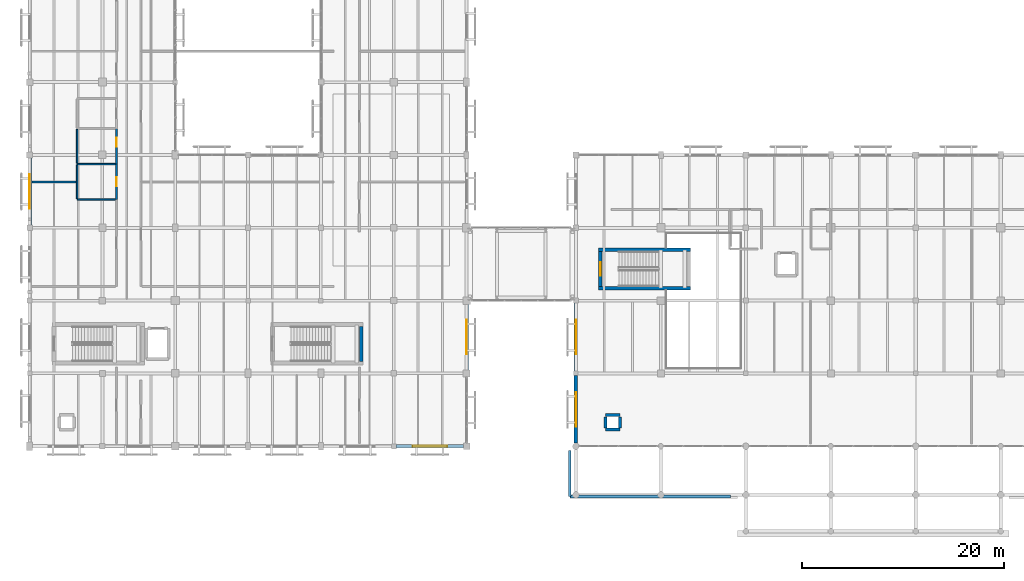
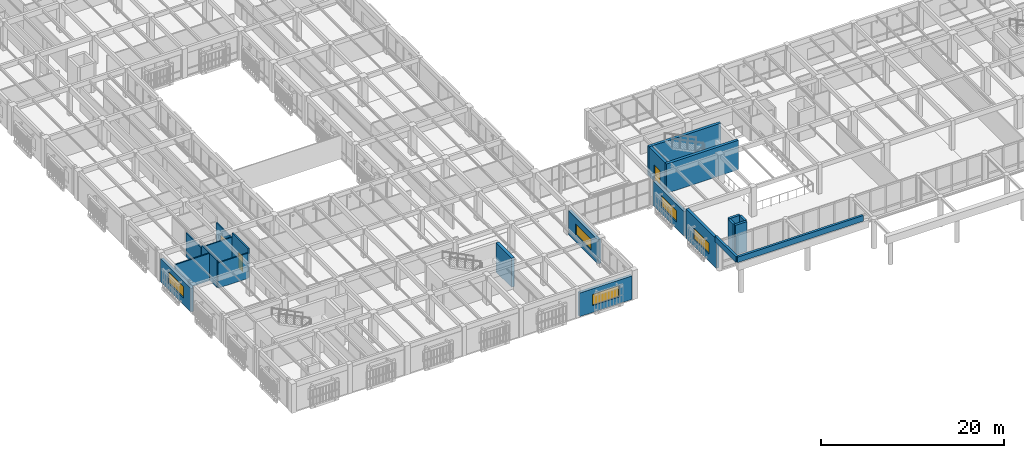
# One storey, part 129 of 170: 22 walls, 5 windows, 3 doors, 8 openings.
"""IFC4 building model written with IfcOpenShell, lengths in metres."""

from ifc_helpers import new_model, si_unit, direction, frame, frame_2d, origin, place, context, subcontext, project, spatial, rectangle, extrude, material, layer, layer_set, type_object, element, fill, save


model = new_model("IFC4")

# Units and contexts
model_context = context("Model", 3, precision=1e-05, world=origin(), true_north=direction((0.0, 1.0)))
body_context = subcontext(model_context, "Body", "Model", "MODEL_VIEW")
ifc_project = project(units=[si_unit("LENGTHUNIT", "METRE"), si_unit("AREAUNIT", "SQUARE_METRE"), si_unit("VOLUMEUNIT", "CUBIC_METRE"), si_unit("PLANEANGLEUNIT", "RADIAN"), si_unit("MASSUNIT", "GRAM", prefix="KILO")], contexts=[model_context])

# Site, building, storey
site_placement = place(None, origin())
site = spatial("IfcSite", under=ifc_project, at=site_placement, CompositionType="ELEMENT")
building_placement = place(site_placement, origin())
building = spatial("IfcBuilding", under=site, at=building_placement, Name="Mazaris Harbour Polytechnic", CompositionType="ELEMENT")
storey_placement = place(building_placement, frame((0.0, 0.0, 5.39990234375)))
storey = spatial("IfcBuildingStorey", under=building, at=storey_placement, Name="L01", CompositionType="ELEMENT", Elevation=5.39990234375)

# Wall
ifc_material_1 = material(Name="Fireboard and Mineral Wool")
ifc_layer_1 = layer(ifc_material_1, 0.1650390625, Name="Fireboard and Mineral Wool")
ifc_layer_set_1 = layer_set([ifc_layer_1], Name="Fireboard and Mineral Wool")
wall_type_1 = type_object("IfcWallType", Name="Laboratory Rated Partition 165", PredefinedType="PARTITIONING", material=ifc_layer_set_1)
wall_1_placement = place(storey_placement, frame((0.25, 33.3330078125, 0.0), z_axis=(0.0, 0.0, 1.0), x_axis=(1.0, 0.0, 0.0)))
element("IfcWall", 1, at=wall_1_placement, inside=storey, type_object=wall_type_1, Name="V4 L01 Partition 334", PredefinedType="PARTITIONING", context=body_context, shape_type="SweptSolid", body=[
    extrude(rectangle(XDim=4.367431640625, YDim=0.1650390625, at=frame_2d((2.18359375, 0.0))), origin(), (0.0, 0.0, 1.0), 3.650146484375),
])

# Wall, opening, door
ifc_material_2 = material(Name="Moisture-Resistant Blockwork", Category="masonry")
ifc_layer_2 = layer(ifc_material_2, 0.175048828125, Name="Moisture-Resistant Blockwork")
ifc_layer_set_2 = layer_set([ifc_layer_2], Name="Moisture-Resistant Blockwork")
wall_type_2 = type_object("IfcWallType", Name="Laboratory Wet Service Wall 175", PredefinedType="PLUMBINGWALL", material=ifc_layer_set_2)
wall_2_placement = place(storey_placement, frame((8.60009765625, 31.60009765625, 0.0), z_axis=(0.0, 0.0, 1.0), x_axis=(0.0, 1.0, 0.0)))
wall_2 = element("IfcWall", 2, at=wall_2_placement, inside=storey, type_object=wall_type_2, Name="V4 L01 Partition 321", PredefinedType="PLUMBINGWALL", context=body_context, shape_type="SweptSolid", body=[
    extrude(rectangle(XDim=3.5, YDim=0.175048828125, at=frame_2d((1.75, 0.0))), origin(), (0.0, 0.0, 1.0), 3.89013671875),
])
opening_1_placement = place(wall_2_placement, frame((1.300048828125, 0.0, 0.0)))
opening_1 = element("IfcOpeningElement", 3, at=opening_1_placement, cuts=wall_2, Name="Opening ID-07R", PredefinedType="OPENING", context=body_context, shape_type="SweptSolid", body=[
    extrude(rectangle(XDim=0.89990234375, YDim=2.10009765625, at=frame_2d((0.449951171875, 1.050048828125))), frame((0.0, 0.097412109375, 0.0), z_axis=(0.0, -1.0, 0.0), x_axis=(1.0, 0.0, 0.0)), (0.0, 0.0, 1.0), 0.195068359375),
])
ifc_material_3 = material(Name="Moisture-Resistant Laminate Timber", Category="wood")
door_type_1 = type_object("IfcDoorType", Name="Sanitary Room Door RH 900x2100", OperationType="SINGLE_SWING_RIGHT", PredefinedType="DOOR", material=ifc_material_3)
door_1_placement = place(opening_1_placement, origin())
door_1 = element("IfcDoor", 4, at=door_1_placement, inside=storey, type_object=door_type_1, Name="ID-0150", OperationType="SINGLE_SWING_RIGHT", OverallHeight=2.10009765625, OverallWidth=0.89990234375, PredefinedType="DOOR", context=body_context, shape_type="SweptSolid", body=[
    extrude(rectangle(XDim=0.89990234375, YDim=2.10009765625, at=frame_2d((0.449951171875, 1.050048828125))), frame((0.0, 0.02490234375, 0.0), z_axis=(0.0, -1.0, 0.0), x_axis=(1.0, 0.0, 0.0)), (0.0, 0.0, 1.0), 0.050048828125),
])
fill(opening_1, door_1)

wall_3_placement = place(storey_placement, frame((8.60009765625, 35.10498046875, 0.0), z_axis=(0.0, 0.0, 1.0), x_axis=(0.0, 1.0, 0.0)))
wall_3 = element("IfcWall", 5, at=wall_3_placement, inside=storey, type_object=wall_type_2, Name="V4 L01 Partition 325", PredefinedType="PLUMBINGWALL", context=body_context, shape_type="SweptSolid", body=[
    extrude(rectangle(XDim=3.4951171875, YDim=0.175048828125, at=frame_2d((1.74755859375, 0.0))), origin(), (0.0, 0.0, 1.0), 3.150146484375),
])
opening_2_placement = place(wall_3_placement, frame((1.686767578125, 0.0, 0.0)))
opening_2 = element("IfcOpeningElement", 6, at=opening_2_placement, cuts=wall_3, Name="Opening ID-07R", PredefinedType="OPENING", context=body_context, shape_type="SweptSolid", body=[
    extrude(rectangle(XDim=0.89990234375, YDim=2.10009765625, at=frame_2d((0.449951171875, 1.050048828125))), frame((0.0, 0.097412109375, 0.0), z_axis=(0.0, -1.0, 0.0), x_axis=(1.0, 0.0, 0.0)), (0.0, 0.0, 1.0), 0.195068359375),
])
door_2_placement = place(opening_2_placement, origin())
door_2 = element("IfcDoor", 7, at=door_2_placement, inside=storey, type_object=door_type_1, Name="ID-0151", OperationType="SINGLE_SWING_RIGHT", OverallHeight=2.10009765625, OverallWidth=0.89990234375, PredefinedType="DOOR", context=body_context, shape_type="SweptSolid", body=[
    extrude(rectangle(XDim=0.89990234375, YDim=2.10009765625, at=frame_2d((0.449951171875, 1.050048828125))), frame((0.0, 0.02490234375, 0.0), z_axis=(0.0, -1.0, 0.0), x_axis=(1.0, 0.0, 0.0)), (0.0, 0.0, 1.0), 0.050048828125),
])
fill(opening_2, door_2)

# Wall, opening, window
ifc_material_4 = material(Name="Algerian Buff Limestone and Concrete C30/37", Category="masonry")
ifc_layer_3 = layer(ifc_material_4, 0.360107421875, Name="Algerian Buff Limestone and Concrete C30/37")
ifc_layer_set_3 = layer_set([ifc_layer_3], Name="Algerian Buff Limestone and Concrete C30/37")
wall_type_3 = type_object("IfcWallType", Name="Limestone Ashlar Exterior Wall 360", PredefinedType="STANDARD", material=ifc_layer_set_3)
wall_4_placement = place(storey_placement, frame((42.883056640625, 7.199951171875, 0.0), z_axis=(0.0, 0.0, 1.0), x_axis=(-1.0, 0.0, 0.0)))
wall_4 = element("IfcWall", 8, at=wall_4_placement, inside=storey, type_object=wall_type_3, Name="V4 L01 Exterior Wall 163", PredefinedType="STANDARD", context=body_context, shape_type="SweptSolid", body=[
    extrude(rectangle(XDim=6.64111328125, YDim=0.360107421875, at=frame_2d((3.320556640625, 0.0))), origin(), (0.0, 0.0, 1.0), 3.150146484375),
])
opening_3_placement = place(wall_4_placement, frame((1.62060546875, 0.0, 0.89990234375)))
opening_3 = element("IfcOpeningElement", 9, at=opening_3_placement, cuts=wall_4, Name="Opening WN-16", PredefinedType="OPENING", context=body_context, shape_type="SweptSolid", body=[
    extrude(rectangle(XDim=3.39990234375, YDim=1.5, at=frame_2d((1.699951171875, 0.75))), frame((0.0, 0.18994140625, 0.0), z_axis=(0.0, -1.0, 0.0), x_axis=(1.0, 0.0, 0.0)), (0.0, 0.0, 1.0), 0.380126953125),
])
ifc_material_5 = material(Name="Thermally Broken Bronze Aluminium and Low-E Glass", Category="aluminium")
window_type = type_object("IfcWindowType", Name="Workshop Clerestory Ribbon 3400x1500", PartitioningType="DOUBLE_PANEL_VERTICAL", PredefinedType="WINDOW", material=ifc_material_5)
window_1_placement = place(opening_3_placement, origin())
window_1 = element("IfcWindow", 10, at=window_1_placement, inside=storey, type_object=window_type, Name="WN-0165", OverallHeight=1.5, OverallWidth=3.39990234375, PartitioningType="DOUBLE_PANEL_VERTICAL", PredefinedType="WINDOW", context=body_context, shape_type="SweptSolid", body=[
    extrude(rectangle(XDim=3.39990234375, YDim=1.5, at=frame_2d((1.699951171875, 0.75))), frame((0.0, 0.030029296875, 0.0), z_axis=(0.0, -1.0, 0.0), x_axis=(1.0, 0.0, 0.0)), (0.0, 0.0, 1.0), 0.06005859375),
])
fill(opening_3, window_1)

wall_5_placement = place(storey_placement, frame((0.0, 29.06689453125, 0.0), z_axis=(0.0, 0.0, 1.0), x_axis=(0.0, 1.0, 0.0)))
wall_5 = element("IfcWall", 11, at=wall_5_placement, inside=storey, type_object=wall_type_3, Name="V4 L01 Exterior Wall 173", PredefinedType="STANDARD", context=body_context, shape_type="SweptSolid", body=[
    extrude(rectangle(XDim=6.64111328125, YDim=0.360107421875, at=frame_2d((3.320556640625, 0.0))), origin(), (0.0, 0.0, 1.0), 3.150146484375),
])
opening_4_placement = place(wall_5_placement, frame((1.62060546875, 0.0, 0.89990234375)))
opening_4 = element("IfcOpeningElement", 12, at=opening_4_placement, cuts=wall_5, Name="Opening WN-16", PredefinedType="OPENING", context=body_context, shape_type="SweptSolid", body=[
    extrude(rectangle(XDim=3.39990234375, YDim=1.5, at=frame_2d((1.699951171875, 0.75))), frame((0.0, 0.18994140625, 0.0), z_axis=(0.0, -1.0, 0.0), x_axis=(1.0, 0.0, 0.0)), (0.0, 0.0, 1.0), 0.380126953125),
])
window_2_placement = place(opening_4_placement, origin())
window_2 = element("IfcWindow", 13, at=window_2_placement, inside=storey, type_object=window_type, Name="WN-0175", OverallHeight=1.5, OverallWidth=3.39990234375, PartitioningType="DOUBLE_PANEL_VERTICAL", PredefinedType="WINDOW", context=body_context, shape_type="SweptSolid", body=[
    extrude(rectangle(XDim=3.39990234375, YDim=1.5, at=frame_2d((1.699951171875, 0.75))), frame((0.0, 0.030029296875, 0.0), z_axis=(0.0, -1.0, 0.0), x_axis=(1.0, 0.0, 0.0)), (0.0, 0.0, 1.0), 0.06005859375),
])
fill(opening_4, window_2)

wall_6_placement = place(storey_placement, frame((43.199951171875, 21.23291015625, 0.0), z_axis=(0.0, 0.0, 1.0), x_axis=(0.0, -1.0, 0.0)))
wall_6 = element("IfcWall", 14, at=wall_6_placement, inside=storey, type_object=wall_type_3, Name="V4 L01 Exterior Wall 182", PredefinedType="STANDARD", context=body_context, shape_type="SweptSolid", body=[
    extrude(rectangle(XDim=6.490966796875, YDim=0.360107421875, at=frame_2d((3.24560546875, 0.0))), origin(), (0.0, 0.0, 1.0), 3.210205078125),
])
opening_5_placement = place(wall_6_placement, frame((1.54541015625, 0.0, 0.89990234375)))
opening_5 = element("IfcOpeningElement", 15, at=opening_5_placement, cuts=wall_6, Name="Opening WN-16", PredefinedType="OPENING", context=body_context, shape_type="SweptSolid", body=[
    extrude(rectangle(XDim=3.39990234375, YDim=1.5, at=frame_2d((1.699951171875, 0.75))), frame((0.0, 0.18994140625, 0.0), z_axis=(0.0, -1.0, 0.0), x_axis=(1.0, 0.0, 0.0)), (0.0, 0.0, 1.0), 0.380126953125),
])
window_3_placement = place(opening_5_placement, origin())
window_3 = element("IfcWindow", 16, at=window_3_placement, inside=storey, type_object=window_type, Name="WN-0184", OverallHeight=1.5, OverallWidth=3.39990234375, PartitioningType="DOUBLE_PANEL_VERTICAL", PredefinedType="WINDOW", context=body_context, shape_type="SweptSolid", body=[
    extrude(rectangle(XDim=3.39990234375, YDim=1.5, at=frame_2d((1.699951171875, 0.75))), frame((0.0, 0.030029296875, 0.0), z_axis=(0.0, -1.0, 0.0), x_axis=(1.0, 0.0, 0.0)), (0.0, 0.0, 1.0), 0.06005859375),
])
fill(opening_5, window_3)

ifc_material_6 = material(Name="Algerian Buff Limestone and Mineral Wool", Category="masonry")
ifc_layer_4 = layer(ifc_material_6, 0.330078125, Name="Algerian Buff Limestone and Mineral Wool")
ifc_layer_set_4 = layer_set([ifc_layer_4], Name="Algerian Buff Limestone and Mineral Wool")
wall_type_4 = type_object("IfcWallType", Name="Limestone Cavity Wall 330", PredefinedType="STANDARD", material=ifc_layer_set_4)
wall_7_placement = place(storey_placement, frame((54.0, 7.51708984375, 0.0), z_axis=(0.0, 0.0, 1.0), x_axis=(0.0, 1.0, 0.0)))
wall_7 = element("IfcWall", 17, at=wall_7_placement, inside=storey, type_object=wall_type_4, Name="V3 L01 Exterior Wall 111", PredefinedType="STANDARD", context=body_context, shape_type="SweptSolid", body=[
    extrude(rectangle(XDim=6.666015625, YDim=0.330078125, at=frame_2d((3.3330078125, 0.0))), origin(), (0.0, 0.0, 1.0), 3.920166015625),
])
opening_6_placement = place(wall_7_placement, frame((1.633056640625, 0.0, 0.89990234375)))
opening_6 = element("IfcOpeningElement", 18, at=opening_6_placement, cuts=wall_7, Name="Opening WN-16", PredefinedType="OPENING", context=body_context, shape_type="SweptSolid", body=[
    extrude(rectangle(XDim=3.39990234375, YDim=1.5, at=frame_2d((1.699951171875, 0.75))), frame((0.0, 0.175048828125, 0.0), z_axis=(0.0, -1.0, 0.0), x_axis=(1.0, 0.0, 0.0)), (0.0, 0.0, 1.0), 0.35009765625),
])
window_4_placement = place(opening_6_placement, origin())
window_4 = element("IfcWindow", 19, at=window_4_placement, inside=storey, type_object=window_type, Name="WN-0118", OverallHeight=1.5, OverallWidth=3.39990234375, PartitioningType="DOUBLE_PANEL_VERTICAL", PredefinedType="WINDOW", context=body_context, shape_type="SweptSolid", body=[
    extrude(rectangle(XDim=3.39990234375, YDim=1.5, at=frame_2d((1.699951171875, 0.75))), frame((0.0, 0.030029296875, 0.0), z_axis=(0.0, -1.0, 0.0), x_axis=(1.0, 0.0, 0.0)), (0.0, 0.0, 1.0), 0.06005859375),
])
fill(opening_6, window_4)

wall_8_placement = place(storey_placement, frame((54.0, 14.616943359375, 0.0), z_axis=(0.0, 0.0, 1.0), x_axis=(0.0, 1.0, 0.0)))
wall_8 = element("IfcWall", 20, at=wall_8_placement, inside=storey, type_object=wall_type_4, Name="V3 L01 Exterior Wall 112", PredefinedType="STANDARD", context=body_context, shape_type="SweptSolid", body=[
    extrude(rectangle(XDim=6.740966796875, YDim=0.330078125, at=frame_2d((3.37060546875, 0.0))), origin(), (0.0, 0.0, 1.0), 3.280029296875),
])
opening_7_placement = place(wall_8_placement, frame((1.67041015625, 0.0, 0.89990234375)))
opening_7 = element("IfcOpeningElement", 21, at=opening_7_placement, cuts=wall_8, Name="Opening WN-16", PredefinedType="OPENING", context=body_context, shape_type="SweptSolid", body=[
    extrude(rectangle(XDim=3.39990234375, YDim=1.5, at=frame_2d((1.699951171875, 0.75))), frame((0.0, 0.175048828125, 0.0), z_axis=(0.0, -1.0, 0.0), x_axis=(1.0, 0.0, 0.0)), (0.0, 0.0, 1.0), 0.35009765625),
])
window_5_placement = place(opening_7_placement, origin())
window_5 = element("IfcWindow", 22, at=window_5_placement, inside=storey, type_object=window_type, Name="WN-0119", OverallHeight=1.5, OverallWidth=3.39990234375, PartitioningType="DOUBLE_PANEL_VERTICAL", PredefinedType="WINDOW", context=body_context, shape_type="SweptSolid", body=[
    extrude(rectangle(XDim=3.39990234375, YDim=1.5, at=frame_2d((1.699951171875, 0.75))), frame((0.0, 0.030029296875, 0.0), z_axis=(0.0, -1.0, 0.0), x_axis=(1.0, 0.0, 0.0)), (0.0, 0.0, 1.0), 0.06005859375),
])
fill(opening_7, window_5)

# Walls
ifc_material_7 = material(Name="Algerian Buff Limestone", Category="masonry")
ifc_layer_5 = layer(ifc_material_7, 0.284912109375, Name="Algerian Buff Limestone")
ifc_layer_set_5 = layer_set([ifc_layer_5], Name="Algerian Buff Limestone")
wall_type_5 = type_object("IfcWallType", Name="Portico Entablature Parapet 285", PredefinedType="PARAPET", material=ifc_layer_set_5)
wall_9_placement = place(storey_placement, frame((53.39990234375, 6.800048828125, 4.2001953125), z_axis=(0.0, 0.0, 1.0), x_axis=(0.0, -1.0, 0.0)))
element("IfcWall", 23, at=wall_9_placement, inside=storey, type_object=wall_type_5, Name="L01 Roof Cornice Parapet 7", PredefinedType="PARAPET", context=body_context, shape_type="SweptSolid", body=[
    extrude(rectangle(XDim=4.550048828125, YDim=0.284912109375, at=frame_2d((2.27490234375, 0.0))), origin(), (0.0, 0.0, 1.0), 0.75),
])
wall_10_placement = place(storey_placement, frame((53.39990234375, 2.25, 4.2001953125), z_axis=(0.0, 0.0, 1.0), x_axis=(1.0, 0.0, 0.0)))
element("IfcWall", 24, at=wall_10_placement, inside=storey, type_object=wall_type_5, Name="L01 Roof Cornice Parapet 8", PredefinedType="PARAPET", context=body_context, shape_type="SweptSolid", body=[
    extrude(rectangle(XDim=15.900146484375, YDim=0.284912109375, at=frame_2d((7.9501953125, 0.0))), origin(), (0.0, 0.0, 1.0), 0.75),
])
ifc_material_8 = material(Name="Concrete C40/50", Category="concrete")
ifc_layer_6 = layer(ifc_material_8, 0.35009765625, Name="Concrete C40/50")
ifc_layer_set_6 = layer_set([ifc_layer_6], Name="Concrete C40/50")
wall_type_6 = type_object("IfcWallType", Name="RC Core Shear Wall 350", PredefinedType="SHEAR", material=ifc_layer_set_6)
for number, where, z_axis, x_axis, name in (
    (25, (56.25, 22.824951171875, 0.0), (0.0, 0.0, 1.0), (1.0, 0.0, 0.0), "Core ST05 L01 Shear Wall S"),
    (26, (65.35009765625, 26.625, 0.0), (0.0, 0.0, 1.0), (-1.0, 0.0, 0.0), "Core ST05 L01 Shear Wall N"),
):
    element("IfcWall", number, at=place(storey_placement, frame(where, z_axis=z_axis, x_axis=x_axis)), inside=storey, type_object=wall_type_6, Name=name, PredefinedType="SHEAR", context=body_context, shape_type="SweptSolid", body=[
        extrude(rectangle(XDim=9.10009765625, YDim=0.35009765625, at=frame_2d((4.550048828125, 0.0))), origin(), (0.0, 0.0, 1.0), 3.920166015625),
    ])

# Wall, opening, door
wall_11_placement = place(storey_placement, frame((56.425048828125, 26.449951171875, 0.0), z_axis=(0.0, 0.0, 1.0), x_axis=(0.0, -1.0, 0.0)))
wall_11 = element("IfcWall", 27, at=wall_11_placement, inside=storey, type_object=wall_type_6, Name="Core ST05 L01 Entrance Shear Wall", PredefinedType="SHEAR", context=body_context, shape_type="SweptSolid", body=[
    extrude(rectangle(XDim=3.449951171875, YDim=0.35009765625, at=frame_2d((1.72509765625, 0.0))), origin(), (0.0, 0.0, 1.0), 3.920166015625),
])
opening_8_placement = place(wall_11_placement, frame((1.034912109375, 0.0, 0.0)))
opening_8 = element("IfcOpeningElement", 28, at=opening_8_placement, cuts=wall_11, Name="Opening SD-01", PredefinedType="OPENING", context=body_context, shape_type="SweptSolid", body=[
    extrude(rectangle(XDim=1.3798828125, YDim=2.199951171875, at=frame_2d((0.68994140625, 1.10009765625))), frame((0.0, 0.18505859375, 0.0), z_axis=(0.0, -1.0, 0.0), x_axis=(1.0, 0.0, 0.0)), (0.0, 0.0, 1.0), 0.3701171875),
])
ifc_material_9 = material(Name="Glulam Timber and Fire Glass", Category="wood")
door_type_2 = type_object("IfcDoorType", Name="Protected Stair Lobby Fire Door 1380x2200", OperationType="DOUBLE_DOOR_SINGLE_SWING", PredefinedType="DOOR", material=ifc_material_9)
door_3_placement = place(opening_8_placement, origin())
door_3 = element("IfcDoor", 29, at=door_3_placement, inside=storey, type_object=door_type_2, Name="SD-021", OperationType="DOUBLE_DOOR_SINGLE_SWING", OverallHeight=2.199951171875, OverallWidth=1.3798828125, PredefinedType="DOOR", context=body_context, shape_type="SweptSolid", body=[
    extrude(rectangle(XDim=1.3798828125, YDim=2.199951171875, at=frame_2d((0.68994140625, 1.10009765625))), frame((0.0, 0.02490234375, 0.0), z_axis=(0.0, -1.0, 0.0), x_axis=(1.0, 0.0, 0.0)), (0.0, 0.0, 1.0), 0.050048828125),
])
fill(opening_8, door_3)

# Walls
ifc_material_10 = material(Name="Concrete C40/50", Category="concrete")
ifc_layer_7 = layer(ifc_material_10, 0.375, Name="Concrete C40/50")
ifc_layer_set_7 = layer_set([ifc_layer_7], Name="Concrete C40/50")
wall_type_7 = type_object("IfcWallType", Name="RC Core Shear Wall 375", PredefinedType="SHEAR", material=ifc_layer_set_7)
wall_12_placement = place(storey_placement, frame((32.77490234375, 15.60009765625, 0.0), z_axis=(0.0, 0.0, 1.0), x_axis=(0.0, 1.0, 0.0)))
element("IfcWall", 30, at=wall_12_placement, inside=storey, type_object=wall_type_7, Name="Core ST08 L01 Shear Wall E", PredefinedType="SHEAR", context=body_context, shape_type="SweptSolid", body=[
    extrude(rectangle(XDim=3.449951171875, YDim=0.375, at=frame_2d((1.72509765625, 0.0))), origin(), (0.0, 0.0, 1.0), 3.89013671875),
])
ifc_material_11 = material(Name="Concrete C40/50", Category="concrete")
ifc_layer_8 = layer(ifc_material_11, 0.300048828125, Name="Concrete C40/50")
ifc_layer_set_8 = layer_set([ifc_layer_8], Name="Concrete C40/50")
wall_type_8 = type_object("IfcWallType", Name="RC Lift Shaft Wall 300", PredefinedType="SHEAR", material=ifc_layer_set_8)
wall_13_placement = place(storey_placement, frame((56.949951171875, 8.85009765625, 0.0), z_axis=(0.0, 0.0, 1.0), x_axis=(1.0, 0.0, 0.0)))
element("IfcWall", 31, at=wall_13_placement, inside=storey, type_object=wall_type_8, Name="V3 L01 Riser Enclosure Wall 1-1", PredefinedType="SHEAR", context=body_context, shape_type="SweptSolid", body=[
    extrude(rectangle(XDim=1.420166015625, YDim=0.300048828125, at=frame_2d((0.7099609375, 0.0))), origin(), (0.0, 0.0, 1.0), 3.960205078125),
])
wall_14_placement = place(storey_placement, frame((58.3701171875, 9.010009765625, 0.0), z_axis=(0.0, 0.0, 1.0), x_axis=(0.0, 1.0, 0.0)))
element("IfcWall", 32, at=wall_14_placement, inside=storey, type_object=wall_type_8, Name="V3 L01 Riser Enclosure Wall 1-2", PredefinedType="SHEAR", context=body_context, shape_type="SweptSolid", body=[
    extrude(rectangle(XDim=1.10009765625, YDim=0.300048828125, at=frame_2d((0.550048828125, 0.0))), origin(), (0.0, 0.0, 1.0), 3.960205078125),
])
wall_15_placement = place(storey_placement, frame((58.3701171875, 10.27001953125, 0.0), z_axis=(0.0, 0.0, 1.0), x_axis=(-1.0, 0.0, 0.0)))
element("IfcWall", 33, at=wall_15_placement, inside=storey, type_object=wall_type_8, Name="V3 L01 Riser Enclosure Wall 1-3", PredefinedType="SHEAR", context=body_context, shape_type="SweptSolid", body=[
    extrude(rectangle(XDim=1.420166015625, YDim=0.300048828125, at=frame_2d((0.7099609375, 0.0))), origin(), (0.0, 0.0, 1.0), 3.960205078125),
])
wall_16_placement = place(storey_placement, frame((56.949951171875, 10.110107421875, 0.0), z_axis=(0.0, 0.0, 1.0), x_axis=(0.0, -1.0, 0.0)))
element("IfcWall", 34, at=wall_16_placement, inside=storey, type_object=wall_type_8, Name="V3 L01 Riser Enclosure Wall 1-4", PredefinedType="SHEAR", context=body_context, shape_type="SweptSolid", body=[
    extrude(rectangle(XDim=1.10009765625, YDim=0.300048828125, at=frame_2d((0.550048828125, 0.0))), origin(), (0.0, 0.0, 1.0), 3.960205078125),
])
ifc_material_12 = material(Name="Moisture-Resistant Gypsum and Steel Stud", Category="steel")
ifc_layer_9 = layer(ifc_material_12, 0.14501953125, Name="Moisture-Resistant Gypsum and Steel Stud")
ifc_layer_set_9 = layer_set([ifc_layer_9], Name="Moisture-Resistant Gypsum and Steel Stud")
wall_type_9 = type_object("IfcWallType", Name="Sanitary Plumbing Wall 145", PredefinedType="PLUMBINGWALL", material=ifc_layer_set_9)
for number, where, z_axis, x_axis, name in (
    (35, (4.699951171875, 31.60009765625, 0.0), (0.0, 0.0, 1.0), (1.0, 0.0, 0.0), "V4 L01 Partition 322"),
    (36, (4.699951171875, 35.10009765625, 0.0), (0.0, 0.0, 1.0), (1.0, 0.0, 0.0), "V4 L01 Partition 323"),
):
    element("IfcWall", number, at=place(storey_placement, frame(where, z_axis=z_axis, x_axis=x_axis)), inside=storey, type_object=wall_type_9, Name=name, PredefinedType="PLUMBINGWALL", context=body_context, shape_type="SweptSolid", body=[
        extrude(rectangle(XDim=3.780029296875, YDim=0.14501953125, at=frame_2d((1.89013671875, 0.0))), origin(), (0.0, 0.0, 1.0), 3.3701171875),
    ])
wall_17_placement = place(storey_placement, frame((4.699951171875, 31.6826171875, 0.0), z_axis=(0.0, 0.0, 1.0), x_axis=(0.0, 1.0, 0.0)))
element("IfcWall", 37, at=wall_17_placement, inside=storey, type_object=wall_type_9, Name="V4 L01 Partition 324", PredefinedType="PLUMBINGWALL", context=body_context, shape_type="SweptSolid", body=[
    extrude(rectangle(XDim=3.3349609375, YDim=0.14501953125, at=frame_2d((1.66748046875, 0.0))), origin(), (0.0, 0.0, 1.0), 3.6201171875),
])
wall_18_placement = place(storey_placement, frame((4.699951171875, 35.1826171875, 0.0), z_axis=(0.0, 0.0, 1.0), x_axis=(0.0, 1.0, 0.0)))
element("IfcWall", 38, at=wall_18_placement, inside=storey, type_object=wall_type_9, Name="V4 L01 Partition 327", PredefinedType="PLUMBINGWALL", context=body_context, shape_type="SweptSolid", body=[
    extrude(rectangle(XDim=3.3349609375, YDim=0.14501953125, at=frame_2d((1.66748046875, 0.0))), origin(), (0.0, 0.0, 1.0), 3.210205078125),
])

save(model, "model.ifc")
